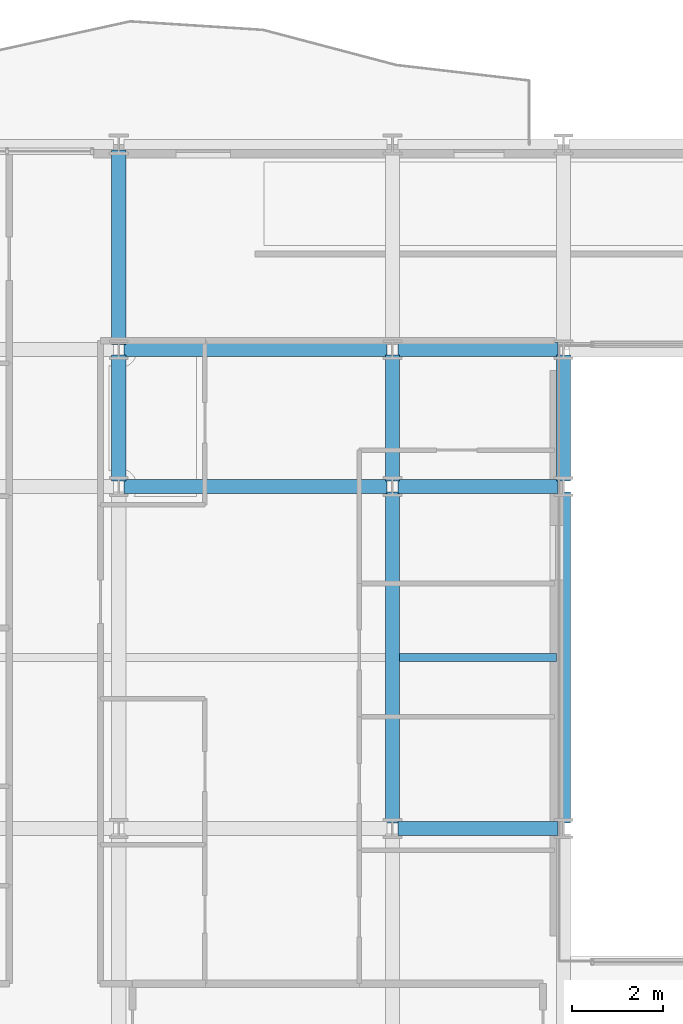
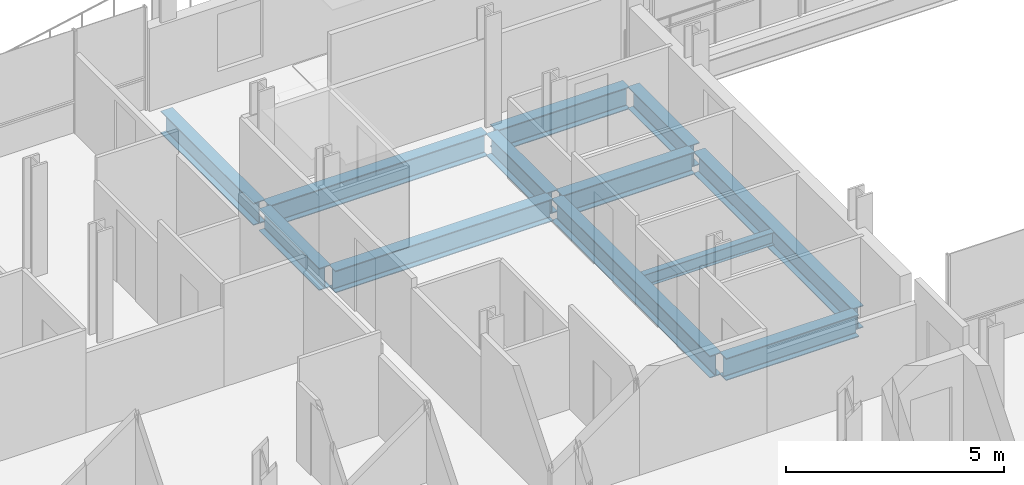
# One storey, part 8 of 40: 12 beams.
"""IFC4 building model written with IfcOpenShell, lengths in metres."""

import ifcopenshell
import ifcopenshell.guid

model = None  # the IFC model being written
_history = None  # IfcOwnerHistory: only IFC2X3 demands one
_inside = {}  # id of a spatial element -> (the spatial element, [elements in it])
_under = {}  # id of a project, library or spatial element -> (it, [spatial elements below it])
_declared = {}  # id of a project -> (the project, [libraries it declares])
_typed = {}  # id of a type object -> (the type object, [elements of that type])
_made_of = {}  # id of a material, layer set ... -> (it, [elements and type objects made of it])


def new_model(schema):
    """Start an empty IFC model of exactly this schema.

    Asked for "IFC4X3", IfcOpenShell would pick the latest addendum, in which some entities
    have other attributes; the version numbers below select the first issue.
    IFC2X3 requires an IfcOwnerHistory on every rooted entity: one is made here for all.
    """
    global model, _history
    if schema == "IFC4X3":
        model = ifcopenshell.file(schema_version=(4, 3, 0, 0))
    else:
        model = ifcopenshell.file(schema=schema)
    _inside.clear()
    _under.clear()
    _declared.clear()
    _typed.clear()
    _made_of.clear()
    _history = None
    if model.schema == "IFC2X3":
        org = make("IfcOrganization", Name="unknown")
        user = make(
            "IfcPersonAndOrganization",
            ThePerson=make("IfcPerson", FamilyName="unknown"),
            TheOrganization=org,
        )
        app = make(
            "IfcApplication",
            ApplicationDeveloper=org,
            Version="unknown",
            ApplicationFullName="unknown",
            ApplicationIdentifier="unknown",
        )
        _history = make(
            "IfcOwnerHistory",
            OwningUser=user,
            OwningApplication=app,
            ChangeAction="ADDED",
            CreationDate=0,
        )
    return model


def make(cls, **values):
    """One entity of the class cls with the attributes given. An attribute that is None is left unset."""
    return model.create_entity(
        cls, **{name: value for name, value in values.items() if value is not None}
    )


def rooted(cls, **values):
    """An entity with a GlobalId (a new one), such as an element, a storey or a relation."""
    return make(cls, GlobalId=ifcopenshell.guid.new(), OwnerHistory=_history, **values)


def si_unit(unit_type, name, prefix=None):
    """IfcSIUnit, for example si_unit("LENGTHUNIT", "METRE", prefix="MILLI")."""
    return make("IfcSIUnit", UnitType=unit_type, Prefix=prefix, Name=name)


def assignment(units):
    """IfcUnitAssignment: the units of a project."""
    return None if units is None else make("IfcUnitAssignment", Units=units)


def point(xyz):
    """IfcCartesianPoint."""
    return None if xyz is None else make("IfcCartesianPoint", Coordinates=xyz)


def direction(xyz):
    """IfcDirection."""
    return None if xyz is None else make("IfcDirection", DirectionRatios=xyz)


def frame(location, z_axis=None, x_axis=None):
    """IfcAxis2Placement3D, a coordinate frame: its origin and axes. An axis left out is left unset."""
    return make(
        "IfcAxis2Placement3D",
        Location=point(location),
        Axis=direction(z_axis),
        RefDirection=direction(x_axis),
    )


def frame_2d(location, x_axis=None):
    """IfcAxis2Placement2D, a coordinate frame in the plane: its origin and x axis."""
    return make(
        "IfcAxis2Placement2D", Location=point(location), RefDirection=direction(x_axis)
    )


def origin():
    """The frame at (0, 0, 0) with its axes left unset."""
    return frame((0.0, 0.0, 0.0))


def origin_2d():
    """The frame at (0, 0) in the plane with its x axis left unset."""
    return frame_2d((0.0, 0.0))


def place(relative_to, where):
    """IfcLocalPlacement: puts the frame where relative to a parent placement (None: the world)."""
    return make(
        "IfcLocalPlacement", PlacementRelTo=relative_to, RelativePlacement=where
    )


def context(
    kind, dimensions, precision=None, world=None, true_north=None, identifier=None
):
    """IfcGeometricRepresentationContext, for example the 3D "Model" context."""
    return make(
        "IfcGeometricRepresentationContext",
        ContextIdentifier=identifier,
        ContextType=kind,
        CoordinateSpaceDimension=dimensions,
        Precision=precision,
        WorldCoordinateSystem=world,
        TrueNorth=true_north,
    )


def subcontext(parent, identifier, kind, view, scale=None):
    """IfcGeometricRepresentationSubContext, for example "Body" below "Model"."""
    return make(
        "IfcGeometricRepresentationSubContext",
        ContextIdentifier=identifier,
        ContextType=kind,
        ParentContext=parent,
        TargetScale=scale,
        TargetView=view,
    )


def project(units=None, contexts=None):
    """IfcProject with its units and contexts."""
    return rooted(
        "IfcProject",
        Name="project",
        RepresentationContexts=contexts,
        UnitsInContext=assignment(units),
    )


def spatial(cls, under=None, at=None, **own):
    """A site, building, storey or space (cls), placed at a placement, below another one or the project."""
    s = rooted(cls, ObjectPlacement=at, **own)
    if under is not None:
        _under.setdefault(under.id(), (under, []))[1].append(s)
    return s


def profile(cls, at=None, kind="AREA", **sizes):
    """A parametric profile (cls). Its sizes go by their IFC names, for example OverallWidth=200.0."""
    return make(cls, ProfileType=kind, Position=at, **sizes)


def i_section(**sizes):
    """IfcIShapeProfileDef."""
    return profile("IfcIShapeProfileDef", **sizes)


def extrude(swept, where, along, depth):
    """IfcExtrudedAreaSolid: the profile swept, set in the frame where, extruded along a direction by depth."""
    return make(
        "IfcExtrudedAreaSolid",
        SweptArea=swept,
        Position=where,
        ExtrudedDirection=direction(along),
        Depth=depth,
    )


def shape(context_of_items, identifier, shape_type, items):
    """IfcShapeRepresentation: the items that make up one representation, for example the "Body"."""
    return make(
        "IfcShapeRepresentation",
        ContextOfItems=context_of_items,
        RepresentationIdentifier=identifier,
        RepresentationType=shape_type,
        Items=items,
    )


def material(Name=None, Category=None):
    """IfcMaterial."""
    return make("IfcMaterial", Name=Name, Category=Category)


def material_profile(
    of_material, cross_section, Name=None, Category=None, Priority=None
):
    """IfcMaterialProfile: a cross section and its material."""
    return make(
        "IfcMaterialProfile",
        Name=Name,
        Material=of_material,
        Profile=cross_section,
        Priority=Priority,
        Category=Category,
    )


def profile_set(profiles, Name=None, composite=None):
    """IfcMaterialProfileSet."""
    return make(
        "IfcMaterialProfileSet",
        Name=Name,
        MaterialProfiles=profiles,
        CompositeProfile=composite,
    )


def made_of(thing, what):
    """Note that an element or type object is made of a material, layer set ...; save() writes the relation."""
    if what is not None:
        _made_of.setdefault(what.id(), (what, []))[1].append(thing)
    return thing


def type_object(cls, material=None, **own):
    """A type object (cls), such as IfcWallType, which elements share."""
    return made_of(rooted(cls, **own), material)


def element(
    cls,
    number,
    at=None,
    inside=None,
    cuts=None,
    type_object=None,
    material=None,
    context=None,
    identifier="Body",
    shape_type=None,
    held_by="IfcProductDefinitionShape",
    body=None,
    shapes=None,
    **own,
):
    """One element of the class cls, such as IfcWall. Its Tag is "e" and its number.

    at: its placement. inside: the storey or other place that contains it. cuts: it is an
    opening in that element (IfcRelVoidsElement). A single representation is given by context,
    identifier, shape_type and body (its items); several are given by shapes. held_by: the class
    of the entity that holds the representations. save() writes the other relations.
    """
    e = rooted(cls, Tag="e%d" % number, ObjectPlacement=at, **own)
    if body is not None:
        shapes = [shape(context, identifier, shape_type, body)]
    if shapes is not None:
        e.Representation = make(held_by, Representations=shapes)
    if inside is not None:
        _inside.setdefault(inside.id(), (inside, []))[1].append(e)
    if cuts is not None:
        rooted(
            "IfcRelVoidsElement", RelatingBuildingElement=cuts, RelatedOpeningElement=e
        )
    if type_object is not None:
        _typed.setdefault(type_object.id(), (type_object, []))[1].append(e)
    return made_of(e, material)


def aggregate(whole, parts):
    """IfcRelAggregates: a whole, such as a stair, and the parts it consists of."""
    return rooted("IfcRelAggregates", RelatingObject=whole, RelatedObjects=parts)


def save(model, path):
    """Write the relations noted so far, then the file.

    IfcRelAggregates (storeys below a building ...), IfcRelContainedInSpatialStructure (elements
    in a storey), IfcRelDefinesByType, IfcRelAssociatesMaterial and IfcRelDeclares: one each for
    every whole, place, type object, material and project.
    """
    for whole, parts in _under.values():
        aggregate(whole, parts)
    for where, things in _inside.values():
        rooted(
            "IfcRelContainedInSpatialStructure",
            RelatedElements=things,
            RelatingStructure=where,
        )
    for kind, things in _typed.values():
        rooted("IfcRelDefinesByType", RelatedObjects=things, RelatingType=kind)
    for what, things in _made_of.values():
        rooted("IfcRelAssociatesMaterial", RelatedObjects=things, RelatingMaterial=what)
    for by, libraries in _declared.values():
        rooted("IfcRelDeclares", RelatingContext=by, RelatedDefinitions=libraries)
    model.write(path)


model = new_model("IFC4")

# Units and contexts
model_context = context("Model", 3, precision=1e-05, world=origin(), true_north=direction((0.0, 1.0)))
body_context = subcontext(model_context, "Body", "Model", "MODEL_VIEW")
ifc_project = project(units=[si_unit("LENGTHUNIT", "METRE"), si_unit("AREAUNIT", "SQUARE_METRE"), si_unit("VOLUMEUNIT", "CUBIC_METRE"), si_unit("PLANEANGLEUNIT", "RADIAN"), si_unit("MASSUNIT", "GRAM", prefix="KILO")], contexts=[model_context])

# Site, building, storey
site_placement = place(None, origin())
site = spatial("IfcSite", under=ifc_project, at=site_placement, CompositionType="ELEMENT")
building_placement = place(site_placement, origin())
building = spatial("IfcBuilding", under=site, at=building_placement, Name="Brevholm Reach", CompositionType="ELEMENT")
storey_placement = place(building_placement, frame((0.0, 0.0, 62.10009765625)))
storey = spatial("IfcBuildingStorey", under=building, at=storey_placement, Name="L17", CompositionType="ELEMENT", Elevation=62.10009765625)

# Beams
ifc_material_1 = material(Name="Structural Steel S355J2", Category="steel")
ifc_material_profile_1 = material_profile(ifc_material_1, i_section(OverallWidth=0.17138671875, OverallDepth=0.35498046875, WebThickness=0.00732421875, FlangeThickness=0.011474609375, FilletRadius=0.01025390625, at=origin_2d()), Name="UKB 356x171x51")
ifc_profile_set_1 = profile_set([ifc_material_profile_1], Name="Structural Steel S355J2")
beam_type_1 = type_object("IfcBeamType", Name="BM-B356", PredefinedType="BEAM", material=ifc_profile_set_1)
beam_1_placement = place(storey_placement, frame((18.153564453125, 19.75, -0.40771484375), z_axis=(1.0, 0.0, 0.0), x_axis=(0.0, 1.0, 0.0)))
element("IfcBeam", 1, at=beam_1_placement, inside=storey, type_object=beam_type_1, Name="L17 Composite Secondary Floor Beam", PredefinedType="BEAM", context=body_context, shape_type="SweptSolid", body=[
    extrude(i_section(OverallWidth=0.17138671875, OverallDepth=0.35498046875, WebThickness=0.00732421875, FlangeThickness=0.011474609375, FilletRadius=0.01025390625, at=origin_2d()), origin(), (0.0, 0.0, 1.0), 3.44287109375),
])
ifc_material_2 = material(Name="Structural Steel S355J2", Category="steel")
ifc_material_profile_2 = material_profile(ifc_material_2, i_section(OverallWidth=0.30712890625, OverallDepth=0.6201171875, WebThickness=0.01416015625, FlangeThickness=0.023681640625, FilletRadius=0.0166015625, at=origin_2d()), Name="UKB 610x305x179")
ifc_profile_set_2 = profile_set([ifc_material_profile_2], Name="Structural Steel S355J2")
beam_type_2 = type_object("IfcBeamType", Name="BM-UKB610H", PredefinedType="USERDEFINED", material=ifc_profile_set_2)
beam_2_placement = place(storey_placement, frame((18.1201171875, 16.0, -0.540283203125), z_axis=(1.0, 0.0, 0.0), x_axis=(0.0, 1.0, 0.0)))
element("IfcBeam", 2, at=beam_2_placement, inside=storey, type_object=beam_type_2, Name="L17 G-06 Framing Beam", ObjectType="GIRDER", PredefinedType="USERDEFINED", context=body_context, shape_type="SweptSolid", body=[
    extrude(i_section(OverallWidth=0.30712890625, OverallDepth=0.6201171875, WebThickness=0.01416015625, FlangeThickness=0.023681640625, FilletRadius=0.0166015625, at=origin_2d()), origin(), (0.0, 0.0, 1.0), 3.509765625),
])
beam_3_placement = place(storey_placement, frame((12.1201171875, 23.5, -0.540283203125), z_axis=(1.0, 0.0, 0.0), x_axis=(0.0, 1.0, 0.0)))
element("IfcBeam", 3, at=beam_3_placement, inside=storey, type_object=beam_type_2, Name="L17 G-06 Framing Beam", ObjectType="GIRDER", PredefinedType="USERDEFINED", context=body_context, shape_type="SweptSolid", body=[
    extrude(i_section(OverallWidth=0.30712890625, OverallDepth=0.6201171875, WebThickness=0.01416015625, FlangeThickness=0.023681640625, FilletRadius=0.0166015625, at=origin_2d()), origin(), (0.0, 0.0, 1.0), 5.759765625),
])
beam_4_placement = place(storey_placement, frame((18.1201171875, 23.5, -0.540283203125), z_axis=(1.0, 0.0, 0.0), x_axis=(0.0, 1.0, 0.0)))
element("IfcBeam", 4, at=beam_4_placement, inside=storey, type_object=beam_type_2, Name="L17 G-06 Framing Beam", ObjectType="GIRDER", PredefinedType="USERDEFINED", context=body_context, shape_type="SweptSolid", body=[
    extrude(i_section(OverallWidth=0.30712890625, OverallDepth=0.6201171875, WebThickness=0.01416015625, FlangeThickness=0.023681640625, FilletRadius=0.0166015625, at=origin_2d()), origin(), (0.0, 0.0, 1.0), 3.509765625),
])
beam_5_placement = place(storey_placement, frame((12.1201171875, 26.5, -0.540283203125), z_axis=(1.0, 0.0, 0.0), x_axis=(0.0, 1.0, 0.0)))
element("IfcBeam", 5, at=beam_5_placement, inside=storey, type_object=beam_type_2, Name="L17 G-06 Framing Beam", ObjectType="GIRDER", PredefinedType="USERDEFINED", context=body_context, shape_type="SweptSolid", body=[
    extrude(i_section(OverallWidth=0.30712890625, OverallDepth=0.6201171875, WebThickness=0.01416015625, FlangeThickness=0.023681640625, FilletRadius=0.0166015625, at=origin_2d()), origin(), (0.0, 0.0, 1.0), 5.759765625),
])
beam_6_placement = place(storey_placement, frame((18.1201171875, 26.5, -0.540283203125), z_axis=(1.0, 0.0, 0.0), x_axis=(0.0, 1.0, 0.0)))
element("IfcBeam", 6, at=beam_6_placement, inside=storey, type_object=beam_type_2, Name="L17 G-06 Framing Beam", ObjectType="GIRDER", PredefinedType="USERDEFINED", context=body_context, shape_type="SweptSolid", body=[
    extrude(i_section(OverallWidth=0.30712890625, OverallDepth=0.6201171875, WebThickness=0.01416015625, FlangeThickness=0.023681640625, FilletRadius=0.0166015625, at=origin_2d()), origin(), (0.0, 0.0, 1.0), 3.509765625),
])
beam_7_placement = place(storey_placement, frame((12.0, 23.6201171875, -0.540283203125), z_axis=(0.0, 1.0, 0.0), x_axis=(-1.0, 0.0, 0.0)))
element("IfcBeam", 7, at=beam_7_placement, inside=storey, type_object=beam_type_2, Name="L17 G-06 Framing Beam", ObjectType="GIRDER", PredefinedType="USERDEFINED", context=body_context, shape_type="SweptSolid", body=[
    extrude(i_section(OverallWidth=0.30712890625, OverallDepth=0.6201171875, WebThickness=0.01416015625, FlangeThickness=0.023681640625, FilletRadius=0.0166015625, at=origin_2d()), origin(), (0.0, 0.0, 1.0), 2.759765625),
])
beam_8_placement = place(storey_placement, frame((12.0, 26.6201171875, -0.540283203125), z_axis=(0.0, 1.0, 0.0), x_axis=(-1.0, 0.0, 0.0)))
element("IfcBeam", 8, at=beam_8_placement, inside=storey, type_object=beam_type_2, Name="L17 G-06 Framing Beam", ObjectType="GIRDER", PredefinedType="USERDEFINED", context=body_context, shape_type="SweptSolid", body=[
    extrude(i_section(OverallWidth=0.30712890625, OverallDepth=0.6201171875, WebThickness=0.01416015625, FlangeThickness=0.023681640625, FilletRadius=0.0166015625, at=origin_2d()), origin(), (0.0, 0.0, 1.0), 4.259765625),
])
beam_9_placement = place(storey_placement, frame((18.0, 16.1201171875, -0.540283203125), z_axis=(0.0, 1.0, 0.0), x_axis=(-1.0, 0.0, 0.0)))
element("IfcBeam", 9, at=beam_9_placement, inside=storey, type_object=beam_type_2, Name="L17 G-06 Framing Beam", ObjectType="GIRDER", PredefinedType="USERDEFINED", context=body_context, shape_type="SweptSolid", body=[
    extrude(i_section(OverallWidth=0.30712890625, OverallDepth=0.6201171875, WebThickness=0.01416015625, FlangeThickness=0.023681640625, FilletRadius=0.0166015625, at=origin_2d()), origin(), (0.0, 0.0, 1.0), 7.259765625),
])
beam_10_placement = place(storey_placement, frame((18.0, 23.6201171875, -0.540283203125), z_axis=(0.0, 1.0, 0.0), x_axis=(-1.0, 0.0, 0.0)))
element("IfcBeam", 10, at=beam_10_placement, inside=storey, type_object=beam_type_2, Name="L17 G-06 Framing Beam", ObjectType="GIRDER", PredefinedType="USERDEFINED", context=body_context, shape_type="SweptSolid", body=[
    extrude(i_section(OverallWidth=0.30712890625, OverallDepth=0.6201171875, WebThickness=0.01416015625, FlangeThickness=0.023681640625, FilletRadius=0.0166015625, at=origin_2d()), origin(), (0.0, 0.0, 1.0), 2.759765625),
])
beam_11_placement = place(storey_placement, frame((21.75, 16.1201171875, -0.540283203125), z_axis=(0.0, 1.0, 0.0), x_axis=(-1.0, 0.0, 0.0)))
element("IfcBeam", 11, at=beam_11_placement, inside=storey, type_object=beam_type_2, Name="L17 G-06 Framing Beam", ObjectType="GIRDER", PredefinedType="USERDEFINED", context=body_context, shape_type="SweptSolid", body=[
    extrude(i_section(OverallWidth=0.30712890625, OverallDepth=0.6201171875, WebThickness=0.01416015625, FlangeThickness=0.023681640625, FilletRadius=0.0166015625, at=origin_2d()), origin(), (0.0, 0.0, 1.0), 7.259765625),
])
beam_12_placement = place(storey_placement, frame((21.75, 23.6201171875, -0.540283203125), z_axis=(0.0, 1.0, 0.0), x_axis=(-1.0, 0.0, 0.0)))
element("IfcBeam", 12, at=beam_12_placement, inside=storey, type_object=beam_type_2, Name="L17 G-06 Framing Beam", ObjectType="GIRDER", PredefinedType="USERDEFINED", context=body_context, shape_type="SweptSolid", body=[
    extrude(i_section(OverallWidth=0.30712890625, OverallDepth=0.6201171875, WebThickness=0.01416015625, FlangeThickness=0.023681640625, FilletRadius=0.0166015625, at=origin_2d()), origin(), (0.0, 0.0, 1.0), 2.759765625),
])

save(model, "model.ifc")
